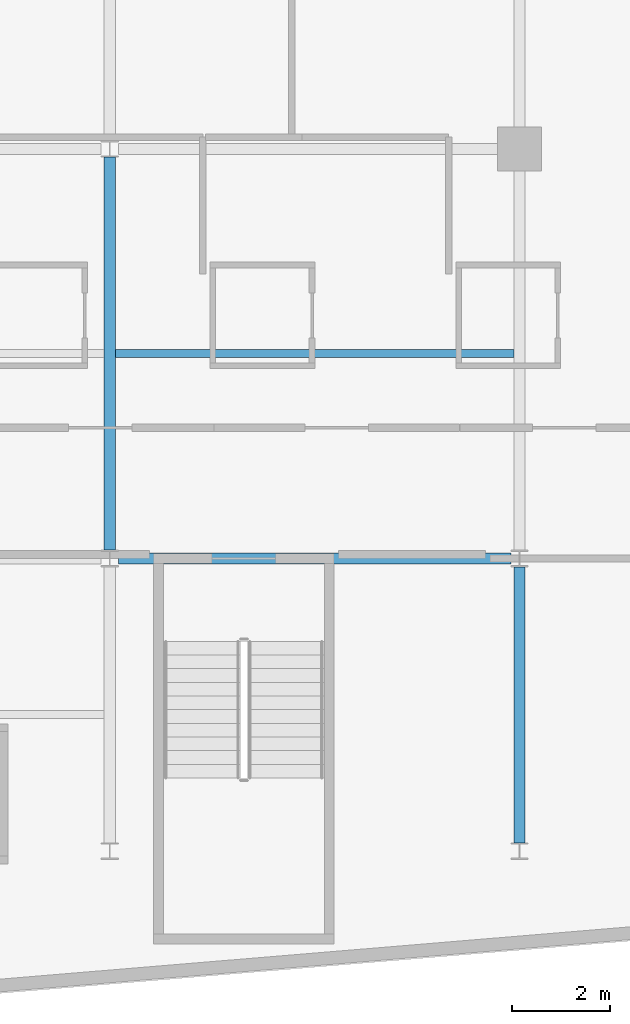
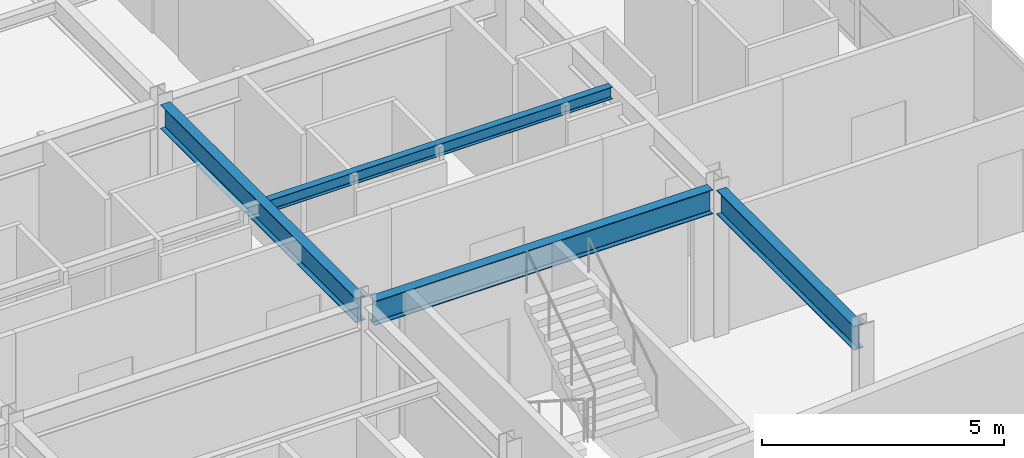
# One storey, part 4 of 21: 4 beams.
"""IFC4 building model written with IfcOpenShell, lengths in metres."""

from ifc_helpers import new_model, si_unit, direction, frame, origin, origin_2d, place, context, subcontext, project, spatial, i_section, extrude, material, material_profile, profile_set, type_object, element, save


model = new_model("IFC4")

# Units and contexts
model_context = context("Model", 3, precision=1e-05, world=origin(), true_north=direction((0.0, 1.0)))
body_context = subcontext(model_context, "Body", "Model", "MODEL_VIEW")
ifc_project = project(units=[si_unit("LENGTHUNIT", "METRE"), si_unit("AREAUNIT", "SQUARE_METRE"), si_unit("VOLUMEUNIT", "CUBIC_METRE"), si_unit("PLANEANGLEUNIT", "RADIAN"), si_unit("MASSUNIT", "GRAM", prefix="KILO")], contexts=[model_context])

# Site, building, storey
site_placement = place(None, origin())
site = spatial("IfcSite", under=ifc_project, at=site_placement, CompositionType="ELEMENT")
building_placement = place(site_placement, origin())
building = spatial("IfcBuilding", under=site, at=building_placement, Name="Varnakote Quay Hospital", CompositionType="ELEMENT")
storey_placement = place(building_placement, frame((0.0, 0.0, 42.25)))
storey = spatial("IfcBuildingStorey", under=building, at=storey_placement, Name="L10", CompositionType="ELEMENT", Elevation=42.25)

# Beams
ifc_material_1 = material(Name="Structural steel AS/NZS 3679.1 Grade 350 L0 (fy 340 MPa)", Category="steel")
ifc_material_profile_1 = material_profile(ifc_material_1, i_section(OverallWidth=0.22900390625, OverallDepth=0.612060546875, WebThickness=0.011962890625, FlangeThickness=0.01953125, FilletRadius=0.013916015625, at=origin_2d()), Name="610UB125")
ifc_profile_set_1 = profile_set([ifc_material_profile_1], Name="Structural steel AS/NZS 3679.1 Grade 350 L0 (fy 340 MPa)")
beam_type_1 = type_object("IfcBeamType", Name="BM-STL-610UB125", PredefinedType="BEAM", material=ifc_profile_set_1)
beam_1_placement = place(storey_placement, frame((42.175048828125, 12.0, 3.404052734375), z_axis=(1.0, 0.0, 0.0), x_axis=(0.0, 1.0, 0.0)))
element("IfcBeam", 1, at=beam_1_placement, inside=storey, type_object=beam_type_1, Name="L10 Primary Floor Beam", PredefinedType="BEAM", context=body_context, shape_type="SweptSolid", body=[
    extrude(i_section(OverallWidth=0.22900390625, OverallDepth=0.612060546875, WebThickness=0.011962890625, FlangeThickness=0.01953125, FilletRadius=0.013916015625, at=origin_2d()), origin(), (0.0, 0.0, 1.0), 8.050048828125),
])
beam_2_placement = place(storey_placement, frame((42.0, 12.169921875, 3.404052734375), z_axis=(0.0, 1.0, 0.0), x_axis=(-1.0, 0.0, 0.0)))
element("IfcBeam", 2, at=beam_2_placement, inside=storey, type_object=beam_type_1, Name="L10 Primary Tie Beam", PredefinedType="BEAM", context=body_context, shape_type="SweptSolid", body=[
    extrude(i_section(OverallWidth=0.22900390625, OverallDepth=0.612060546875, WebThickness=0.011962890625, FlangeThickness=0.01953125, FilletRadius=0.013916015625, at=origin_2d()), origin(), (0.0, 0.0, 1.0), 8.06005859375),
])
beam_3_placement = place(storey_placement, frame((50.39990234375, 6.169921875, 3.404052734375), z_axis=(0.0, 1.0, 0.0), x_axis=(-1.0, 0.0, 0.0)))
element("IfcBeam", 3, at=beam_3_placement, inside=storey, type_object=beam_type_1, Name="L10 Primary Tie Beam", PredefinedType="BEAM", context=body_context, shape_type="SweptSolid", body=[
    extrude(i_section(OverallWidth=0.22900390625, OverallDepth=0.612060546875, WebThickness=0.011962890625, FlangeThickness=0.01953125, FilletRadius=0.013916015625, at=origin_2d()), origin(), (0.0, 0.0, 1.0), 5.66015625),
])
ifc_material_2 = material(Name="Structural steel AS/NZS 3679.1 Grade 350 L0 (fy 340 MPa)", Category="steel")
ifc_material_profile_2 = material_profile(ifc_material_2, i_section(OverallWidth=0.1650390625, OverallDepth=0.303955078125, WebThickness=0.006103515625, FlangeThickness=0.01025390625, FilletRadius=0.011474609375, at=origin_2d()), Name="310UB40.4")
ifc_profile_set_2 = profile_set([ifc_material_profile_2], Name="Structural steel AS/NZS 3679.1 Grade 350 L0 (fy 340 MPa)")
beam_type_2 = type_object("IfcBeamType", Name="JST-STL-310UB40-4", PredefinedType="JOIST", material=ifc_profile_set_2)
beam_4_placement = place(storey_placement, frame((42.114501953125, 16.199951171875, 3.55810546875), z_axis=(1.0, 0.0, 0.0), x_axis=(0.0, 1.0, 0.0)))
element("IfcBeam", 4, at=beam_4_placement, inside=storey, type_object=beam_type_2, Name="L10 Composite Floor Joist", PredefinedType="JOIST", context=body_context, shape_type="SweptSolid", body=[
    extrude(i_section(OverallWidth=0.1650390625, OverallDepth=0.303955078125, WebThickness=0.006103515625, FlangeThickness=0.01025390625, FilletRadius=0.011474609375, at=origin_2d()), origin(), (0.0, 0.0, 1.0), 8.1708984375),
])

save(model, "model.ifc")
